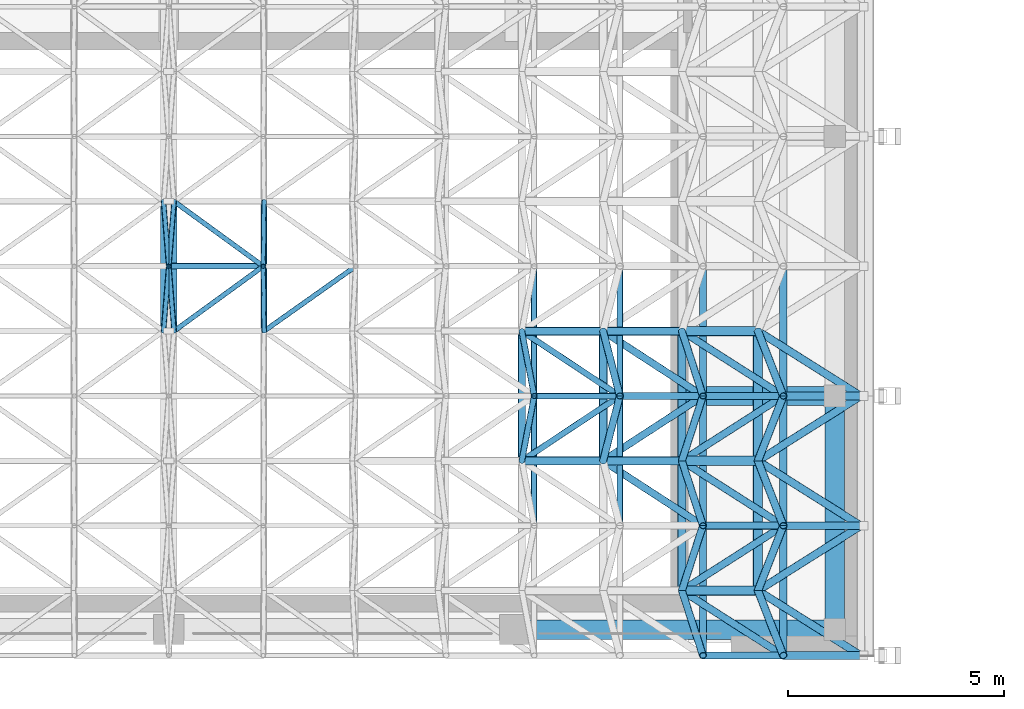
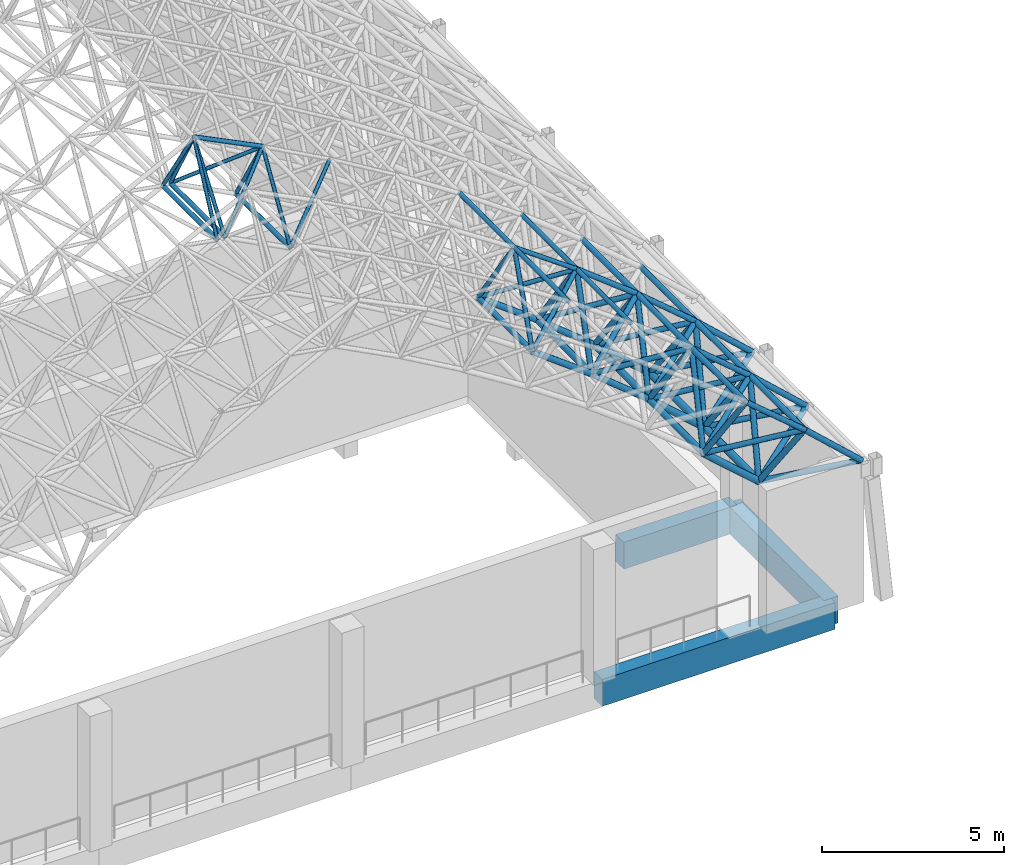
# One storey, part 13 of 141: 73 members, 3 beams.
"""IFC4 building model written with IfcOpenShell, lengths in metres."""

from ifc_helpers import new_model, si_unit, direction, frame, origin, origin_2d, place, context, subcontext, project, spatial, rectangle, hollow_circle, extrude, material, material_profile, profile_set, type_object, element, save


model = new_model("IFC4")

# Units and contexts
model_context = context("Model", 3, precision=1e-05, world=origin(), true_north=direction((0.0, 1.0)))
body_context = subcontext(model_context, "Body", "Model", "MODEL_VIEW")
ifc_project = project(units=[si_unit("LENGTHUNIT", "METRE"), si_unit("AREAUNIT", "SQUARE_METRE"), si_unit("VOLUMEUNIT", "CUBIC_METRE"), si_unit("PLANEANGLEUNIT", "RADIAN"), si_unit("MASSUNIT", "GRAM", prefix="KILO")], contexts=[model_context])

# Site, building, storey
site_placement = place(None, origin())
site = spatial("IfcSite", under=ifc_project, at=site_placement, CompositionType="ELEMENT")
building_placement = place(site_placement, origin())
building = spatial("IfcBuilding", under=site, at=building_placement, Name="Lantern Court Media Centre", CompositionType="ELEMENT")
storey_placement = place(building_placement, frame((0.0, 0.0, 9.60009765625)))
storey = spatial("IfcBuildingStorey", under=building, at=storey_placement, Name="L02", CompositionType="ELEMENT", Elevation=9.60009765625)

# Members
ifc_material_1 = material(Name="Steel S355J2 (EN 10025-2)", Category="steel")
ifc_material_profile_1 = material_profile(ifc_material_1, hollow_circle(Radius=0.06982421875, WallThickness=0.0048828125, at=origin_2d()), Name="Cinema Hall bottom CHS 139.7x5")
ifc_profile_set_1 = profile_set([ifc_material_profile_1], Name="Steel S355J2 (EN 10025-2)")
member_type_1 = type_object("IfcMemberType", Name="Cinema Hall bottom CHS 139.7x5", PredefinedType="CHORD", material=ifc_profile_set_1)
for number, where, z_axis, x_axis, name in (
    (1, (15.87939453125, 5.5, 13.298583984375), (0.0, 1.0, 0.0), (-1.0, 0.0, 0.0), "Cinema Hall bottom chord 08-03"),
    (2, (16.12060546875, 5.5, 13.298583984375), (0.0, 1.0, 0.0), (-1.0, 0.0, 0.0), "Cinema Hall bottom chord 09-03"),
):
    element("IfcMember", number, at=place(storey_placement, frame(where, z_axis=z_axis, x_axis=x_axis)), inside=storey, type_object=member_type_1, Name=name, PredefinedType="CHORD", context=body_context, shape_type="SweptSolid", body=[
        extrude(hollow_circle(Radius=0.06982421875, WallThickness=0.0048828125, at=origin_2d()), origin(), (0.0, 0.0, 1.0), 3.0),
    ])
ifc_material_profile_2 = material_profile(ifc_material_1, hollow_circle(Radius=0.06982421875, WallThickness=0.00634765625, at=origin_2d()), Name="Cinema Hall bottom CHS 139.7x6.3")
ifc_profile_set_2 = profile_set([ifc_material_profile_2], Name="Steel S355J2 (EN 10025-2)")
member_type_2 = type_object("IfcMemberType", Name="Cinema Hall bottom CHS 139.7x6.3", PredefinedType="CHORD", material=ifc_profile_set_2)
member_1_placement = place(storey_placement, frame((18.203125, 5.5, 12.21337890625), z_axis=(0.0, 1.0, 0.0), x_axis=(-1.0, 0.0, 0.0)))
element("IfcMember", 3, at=member_1_placement, inside=storey, type_object=member_type_2, Name="Cinema Hall bottom chord 10-03", PredefinedType="CHORD", context=body_context, shape_type="SweptSolid", body=[
    extrude(hollow_circle(Radius=0.06982421875, WallThickness=0.00634765625, at=origin_2d()), origin(), (0.0, 0.0, 1.0), 3.0),
])
ifc_material_profile_3 = material_profile(ifc_material_1, hollow_circle(Radius=0.084228515625, WallThickness=0.008056640625, at=origin_2d()), Name="Cinema Hall bottom CHS 168.3x8")
ifc_profile_set_3 = profile_set([ifc_material_profile_3], Name="Steel S355J2 (EN 10025-2)")
member_type_3 = type_object("IfcMemberType", Name="Cinema Hall bottom CHS 168.3x8", PredefinedType="CHORD", material=ifc_profile_set_3)
member_2_placement = place(storey_placement, frame((24.162353515625, 2.5, 8.463623046875), z_axis=(0.0, 1.0, 0.0), x_axis=(-1.0, 0.0, 0.0)))
element("IfcMember", 4, at=member_2_placement, inside=storey, type_object=member_type_3, Name="Cinema Hall bottom chord 13-02", PredefinedType="CHORD", context=body_context, shape_type="SweptSolid", body=[
    extrude(hollow_circle(Radius=0.084228515625, WallThickness=0.008056640625, at=origin_2d()), origin(), (0.0, 0.0, 1.0), 3.0),
])
ifc_material_profile_4 = material_profile(ifc_material_1, hollow_circle(Radius=0.096923828125, WallThickness=0.010009765625, at=origin_2d()), Name="Cinema Hall bottom CHS 193.7x10")
ifc_profile_set_4 = profile_set([ifc_material_profile_4], Name="Steel S355J2 (EN 10025-2)")
member_type_4 = type_object("IfcMemberType", Name="Cinema Hall bottom CHS 193.7x10", PredefinedType="CHORD", material=ifc_profile_set_4)
for number, where, z_axis, x_axis, name in (
    (5, (27.8623046875, -0.5, 5.57275390625), (0.0, 1.0, 0.0), (-1.0, 0.0, 0.0), "Cinema Hall bottom chord 15-01"),
    (6, (27.8623046875, 2.5, 5.57275390625), (0.0, 1.0, 0.0), (-1.0, 0.0, 0.0), "Cinema Hall bottom chord 15-02"),
):
    element("IfcMember", number, at=place(storey_placement, frame(where, z_axis=z_axis, x_axis=x_axis)), inside=storey, type_object=member_type_4, Name=name, PredefinedType="CHORD", context=body_context, shape_type="SweptSolid", body=[
        extrude(hollow_circle(Radius=0.096923828125, WallThickness=0.010009765625, at=origin_2d()), origin(), (0.0, 0.0, 1.0), 3.0),
    ])
for number, where, z_axis, x_axis, name in (
    (7, (26.041748046875, 2.5, 7.0556640625), (0.775340578175, 0.0, -0.63154333805), (0.0, 1.0, 0.0), "Cinema Hall bottom chord 14-02 across"),
    (8, (26.041748046875, 5.5, 7.0556640625), (0.775340578175, 0.0, -0.63154333805), (0.0, 1.0, 0.0), "Cinema Hall bottom chord 14-03 across"),
):
    element("IfcMember", number, at=place(storey_placement, frame(where, z_axis=z_axis, x_axis=x_axis)), inside=storey, type_object=member_type_4, Name=name, PredefinedType="CHORD", context=body_context, shape_type="SweptSolid", body=[
        extrude(hollow_circle(Radius=0.096923828125, WallThickness=0.010009765625, at=origin_2d()), origin(), (0.0, 0.0, 1.0), 2.34814453125),
    ])
ifc_material_profile_5 = material_profile(ifc_material_1, hollow_circle(Radius=0.096923828125, WallThickness=0.008056640625, at=origin_2d()), Name="Cinema Hall bottom CHS 193.7x8")
ifc_profile_set_5 = profile_set([ifc_material_profile_5], Name="Steel S355J2 (EN 10025-2)")
member_type_5 = type_object("IfcMemberType", Name="Cinema Hall bottom CHS 193.7x8", PredefinedType="CHORD", material=ifc_profile_set_5)
member_3_placement = place(storey_placement, frame((26.041748046875, 2.5, 7.0556640625), z_axis=(0.0, 1.0, 0.0), x_axis=(-1.0, 0.0, 0.0)))
element("IfcMember", 9, at=member_3_placement, inside=storey, type_object=member_type_5, Name="Cinema Hall bottom chord 14-02", PredefinedType="CHORD", context=body_context, shape_type="SweptSolid", body=[
    extrude(hollow_circle(Radius=0.096923828125, WallThickness=0.008056640625, at=origin_2d()), origin(), (0.0, 0.0, 1.0), 3.0),
])
for number, where, z_axis, x_axis, name in (
    (10, (24.162353515625, 2.5, 8.463623046875), (0.800324254575, 0.0, -0.599567417009), (0.0, 1.0, 0.0), "Cinema Hall bottom chord 13-02 across"),
    (11, (24.162353515625, 5.5, 8.463623046875), (0.800324254575, 0.0, -0.599567417009), (0.0, 1.0, 0.0), "Cinema Hall bottom chord 13-03 across"),
):
    element("IfcMember", number, at=place(storey_placement, frame(where, z_axis=z_axis, x_axis=x_axis)), inside=storey, type_object=member_type_5, Name=name, PredefinedType="CHORD", context=body_context, shape_type="SweptSolid", body=[
        extrude(hollow_circle(Radius=0.096923828125, WallThickness=0.008056640625, at=origin_2d()), origin(), (0.0, 0.0, 1.0), 2.348388671875),
    ])
ifc_material_profile_6 = material_profile(ifc_material_1, hollow_circle(Radius=0.109619140625, WallThickness=0.010009765625, at=origin_2d()), Name="Cinema Hall bottom CHS 219.1x10")
ifc_profile_set_6 = profile_set([ifc_material_profile_6], Name="Steel S355J2 (EN 10025-2)")
member_type_6 = type_object("IfcMemberType", Name="Cinema Hall bottom CHS 219.1x10", PredefinedType="CHORD", material=ifc_profile_set_6)
for number, where, z_axis, x_axis, name in (
    (12, (29.621337890625, -0.5, 4.016845703125), (0.0, 1.0, 0.0), (-1.0, 0.0, 0.0), "Cinema Hall bottom chord 16-01"),
    (13, (29.621337890625, 2.5, 4.016845703125), (0.0, 1.0, 0.0), (-1.0, 0.0, 0.0), "Cinema Hall bottom chord 16-02"),
):
    element("IfcMember", number, at=place(storey_placement, frame(where, z_axis=z_axis, x_axis=x_axis)), inside=storey, type_object=member_type_6, Name=name, PredefinedType="CHORD", context=body_context, shape_type="SweptSolid", body=[
        extrude(hollow_circle(Radius=0.109619140625, WallThickness=0.010009765625, at=origin_2d()), origin(), (0.0, 0.0, 1.0), 3.0),
    ])
for number, where, z_axis, x_axis, name in (
    (14, (27.8623046875, -0.5, 5.57275390625), (0.749030294531, 0.0, -0.662535748375), (0.0, 1.0, 0.0), "Cinema Hall bottom chord 15-01 across"),
    (15, (27.8623046875, 2.5, 5.57275390625), (0.749030294531, 0.0, -0.662535748375), (0.0, 1.0, 0.0), "Cinema Hall bottom chord 15-02 across"),
    (16, (27.8623046875, 5.5, 5.57275390625), (0.749030294531, 0.0, -0.662535748375), (0.0, 1.0, 0.0), "Cinema Hall bottom chord 15-03 across"),
):
    element("IfcMember", number, at=place(storey_placement, frame(where, z_axis=z_axis, x_axis=x_axis)), inside=storey, type_object=member_type_6, Name=name, PredefinedType="CHORD", context=body_context, shape_type="SweptSolid", body=[
        extrude(hollow_circle(Radius=0.109619140625, WallThickness=0.010009765625, at=origin_2d()), origin(), (0.0, 0.0, 1.0), 2.348388671875),
    ])
ifc_material_profile_7 = material_profile(ifc_material_1, hollow_circle(Radius=0.05712890625, WallThickness=0.0048828125, at=origin_2d()), Name="Cinema Hall diagonal CHS 114.3x5")
ifc_profile_set_7 = profile_set([ifc_material_profile_7], Name="Steel S355J2 (EN 10025-2)")
member_type_7 = type_object("IfcMemberType", Name="Cinema Hall diagonal CHS 114.3x5", PredefinedType="BRACE", material=ifc_profile_set_7)
member_4_placement = place(storey_placement, frame((15.87939453125, 5.5, 13.298583984375), z_axis=(0.041317175069, 0.513871910171, 0.85687137365), x_axis=(-0.996783215266, 0.080145004613, 0.0)))
element("IfcMember", 17, at=member_4_placement, inside=storey, type_object=member_type_7, Name="Cinema Hall diagonal 08-03-3", PredefinedType="BRACE", context=body_context, shape_type="SweptSolid", body=[
    extrude(hollow_circle(Radius=0.05712890625, WallThickness=0.0048828125, at=origin_2d()), origin(), (0.0, 0.0, 1.0), 2.9189453125),
])
member_5_placement = place(storey_placement, frame((16.12060546875, 5.5, 13.298583984375), z_axis=(0.706879781117, 0.513851085564, 0.486084392789), x_axis=(-0.587989591395, 0.808868493892, 0.0)))
element("IfcMember", 18, at=member_5_placement, inside=storey, type_object=member_type_7, Name="Cinema Hall diagonal 09-03-3", PredefinedType="BRACE", context=body_context, shape_type="SweptSolid", body=[
    extrude(hollow_circle(Radius=0.05712890625, WallThickness=0.0048828125, at=origin_2d()), origin(), (0.0, 0.0, 1.0), 2.919189453125),
])
for number, where, z_axis, x_axis, name in (
    (19, (16.12060546875, 5.5, 13.298583984375), (-0.041317175069, 0.513871910171, 0.85687137365), (-0.996783215266, -0.080145004613, 0.0), "Cinema Hall diagonal 09-03-4"),
    (20, (15.87939453125, 8.5, 13.298583984375), (0.041317175069, -0.513871910171, 0.85687137365), (0.996783215266, 0.080145004613, 0.0), "Cinema Hall diagonal 08-04-2"),
    (21, (16.12060546875, 8.5, 13.298583984375), (-0.041317175069, -0.513871910171, 0.85687137365), (0.996783215266, -0.080145004613, 0.0), "Cinema Hall diagonal 09-04-1"),
):
    element("IfcMember", number, at=place(storey_placement, frame(where, z_axis=z_axis, x_axis=x_axis)), inside=storey, type_object=member_type_7, Name=name, PredefinedType="BRACE", context=body_context, shape_type="SweptSolid", body=[
        extrude(hollow_circle(Radius=0.05712890625, WallThickness=0.0048828125, at=origin_2d()), origin(), (0.0, 0.0, 1.0), 2.9189453125),
    ])
member_6_placement = place(storey_placement, frame((16.12060546875, 8.5, 13.298583984375), z_axis=(0.706879781117, -0.513851085564, 0.486084392789), x_axis=(0.587989591395, 0.808868493892, 0.0)))
element("IfcMember", 22, at=member_6_placement, inside=storey, type_object=member_type_7, Name="Cinema Hall diagonal 09-04-2", PredefinedType="BRACE", context=body_context, shape_type="SweptSolid", body=[
    extrude(hollow_circle(Radius=0.05712890625, WallThickness=0.0048828125, at=origin_2d()), origin(), (0.0, 0.0, 1.0), 2.919189453125),
])
ifc_material_profile_8 = material_profile(ifc_material_1, hollow_circle(Radius=0.05712890625, WallThickness=0.00634765625, at=origin_2d()), Name="Cinema Hall diagonal CHS 114.3x6.3")
ifc_profile_set_8 = profile_set([ifc_material_profile_8], Name="Steel S355J2 (EN 10025-2)")
member_type_8 = type_object("IfcMemberType", Name="Cinema Hall diagonal CHS 114.3x6.3", PredefinedType="BRACE", material=ifc_profile_set_8)
for number, where, z_axis, x_axis, name in (
    (23, (18.203125, 5.5, 12.21337890625), (0.726033609038, 0.513852147671, 0.456980490702), (-0.577701627838, 0.816248019411, 0.0), "Cinema Hall diagonal 10-03-3"),
    (24, (18.203125, 5.5, 12.21337890625), (-0.006523580306, 0.513857402591, 0.857850810283), (-0.99991942426, -0.012694289566, 0.0), "Cinema Hall diagonal 10-03-4"),
    (25, (18.203125, 8.5, 12.21337890625), (-0.006523580306, -0.513857402591, 0.857850810283), (0.99991942426, -0.012694289566, 0.0), "Cinema Hall diagonal 10-04-1"),
):
    element("IfcMember", number, at=place(storey_placement, frame(where, z_axis=z_axis, x_axis=x_axis)), inside=storey, type_object=member_type_8, Name=name, PredefinedType="BRACE", context=body_context, shape_type="SweptSolid", body=[
        extrude(hollow_circle(Radius=0.05712890625, WallThickness=0.00634765625, at=origin_2d()), origin(), (0.0, 0.0, 1.0), 2.919189453125),
    ])
ifc_material_profile_9 = material_profile(ifc_material_1, hollow_circle(Radius=0.06982421875, WallThickness=0.008056640625, at=origin_2d()), Name="Cinema Hall diagonal CHS 139.7x8")
ifc_profile_set_9 = profile_set([ifc_material_profile_9], Name="Steel S355J2 (EN 10025-2)")
member_type_9 = type_object("IfcMemberType", Name="Cinema Hall diagonal CHS 139.7x8", PredefinedType="BRACE", material=ifc_profile_set_9)
member_7_placement = place(storey_placement, frame((24.162353515625, 2.5, 8.463623046875), z_axis=(0.776210877705, 0.513849761084, 0.365315064521), x_axis=(-0.552001963744, 0.833842810141, 0.0)))
element("IfcMember", 26, at=member_7_placement, inside=storey, type_object=member_type_9, Name="Cinema Hall diagonal 13-02-3", PredefinedType="BRACE", context=body_context, shape_type="SweptSolid", body=[
    extrude(hollow_circle(Radius=0.06982421875, WallThickness=0.008056640625, at=origin_2d()), origin(), (0.0, 0.0, 1.0), 2.919189453125),
])
for number, where, z_axis, x_axis, name in (
    (27, (24.162353515625, 2.5, 8.463623046875), (0.09785614588, 0.51387022247, 0.852268484207), (-0.982346962135, 0.187068025016, 0.0), "Cinema Hall diagonal 13-02-4"),
    (28, (24.162353515625, 5.5, 8.463623046875), (0.09785614588, -0.51387022247, 0.852268484207), (0.982346962135, 0.187068025016, 0.0), "Cinema Hall diagonal 13-03-1"),
):
    element("IfcMember", number, at=place(storey_placement, frame(where, z_axis=z_axis, x_axis=x_axis)), inside=storey, type_object=member_type_9, Name=name, PredefinedType="BRACE", context=body_context, shape_type="SweptSolid", body=[
        extrude(hollow_circle(Radius=0.06982421875, WallThickness=0.008056640625, at=origin_2d()), origin(), (0.0, 0.0, 1.0), 2.9189453125),
    ])
member_8_placement = place(storey_placement, frame((24.162353515625, 5.5, 8.463623046875), z_axis=(0.776210877705, -0.513849761084, 0.365315064521), x_axis=(0.552001963744, 0.833842810141, 0.0)))
element("IfcMember", 29, at=member_8_placement, inside=storey, type_object=member_type_9, Name="Cinema Hall diagonal 13-03-2", PredefinedType="BRACE", context=body_context, shape_type="SweptSolid", body=[
    extrude(hollow_circle(Radius=0.06982421875, WallThickness=0.008056640625, at=origin_2d()), origin(), (0.0, 0.0, 1.0), 2.919189453125),
])
ifc_material_profile_10 = material_profile(ifc_material_1, hollow_circle(Radius=0.084228515625, WallThickness=0.010009765625, at=origin_2d()), Name="Cinema Hall diagonal CHS 168.3x10")
ifc_profile_set_10 = profile_set([ifc_material_profile_10], Name="Steel S355J2 (EN 10025-2)")
member_type_10 = type_object("IfcMemberType", Name="Cinema Hall diagonal CHS 168.3x10", PredefinedType="BRACE", material=ifc_profile_set_10)
member_9_placement = place(storey_placement, frame((27.8623046875, -0.5, 5.57275390625), z_axis=(0.166695380465, -0.513886812634, 0.841506383774), x_axis=(0.951206854862, 0.308553916299, 0.0)))
element("IfcMember", 30, at=member_9_placement, inside=storey, type_object=member_type_10, Name="Cinema Hall diagonal 15-01-1", PredefinedType="BRACE", context=body_context, shape_type="SweptSolid", body=[
    extrude(hollow_circle(Radius=0.084228515625, WallThickness=0.010009765625, at=origin_2d()), origin(), (0.0, 0.0, 1.0), 2.9189453125),
])
for number, where, z_axis, x_axis, name in (
    (31, (27.8623046875, -0.5, 5.57275390625), (0.803309435106, -0.513850408047, 0.301084223465), (0.538854579896, 0.842398802068, 0.0), "Cinema Hall diagonal 15-01-2"),
    (32, (27.8623046875, -0.5, 5.57275390625), (0.803309435106, 0.513850408047, 0.301084223465), (-0.538854579896, 0.842398802068, 0.0), "Cinema Hall diagonal 15-01-3"),
):
    element("IfcMember", number, at=place(storey_placement, frame(where, z_axis=z_axis, x_axis=x_axis)), inside=storey, type_object=member_type_10, Name=name, PredefinedType="BRACE", context=body_context, shape_type="SweptSolid", body=[
        extrude(hollow_circle(Radius=0.084228515625, WallThickness=0.010009765625, at=origin_2d()), origin(), (0.0, 0.0, 1.0), 2.919189453125),
    ])
for number, where, z_axis, x_axis, name in (
    (33, (27.8623046875, -0.5, 5.57275390625), (0.166695380465, 0.513886812634, 0.841506383774), (-0.951206854862, 0.308553916299, 0.0), "Cinema Hall diagonal 15-01-4"),
    (34, (27.8623046875, 2.5, 5.57275390625), (0.166695380465, -0.513886812634, 0.841506383774), (0.951206854862, 0.308553916299, 0.0), "Cinema Hall diagonal 15-02-1"),
):
    element("IfcMember", number, at=place(storey_placement, frame(where, z_axis=z_axis, x_axis=x_axis)), inside=storey, type_object=member_type_10, Name=name, PredefinedType="BRACE", context=body_context, shape_type="SweptSolid", body=[
        extrude(hollow_circle(Radius=0.084228515625, WallThickness=0.010009765625, at=origin_2d()), origin(), (0.0, 0.0, 1.0), 2.9189453125),
    ])
for number, where, z_axis, x_axis, name in (
    (35, (27.8623046875, 2.5, 5.57275390625), (0.803309435106, -0.513850408047, 0.301084223465), (0.538854579896, 0.842398802068, 0.0), "Cinema Hall diagonal 15-02-2"),
    (36, (27.8623046875, 2.5, 5.57275390625), (0.803309435106, 0.513850408047, 0.301084223465), (-0.538854579896, 0.842398802068, 0.0), "Cinema Hall diagonal 15-02-3"),
):
    element("IfcMember", number, at=place(storey_placement, frame(where, z_axis=z_axis, x_axis=x_axis)), inside=storey, type_object=member_type_10, Name=name, PredefinedType="BRACE", context=body_context, shape_type="SweptSolid", body=[
        extrude(hollow_circle(Radius=0.084228515625, WallThickness=0.010009765625, at=origin_2d()), origin(), (0.0, 0.0, 1.0), 2.919189453125),
    ])
for number, where, z_axis, x_axis, name in (
    (37, (27.8623046875, 2.5, 5.57275390625), (0.166695380465, 0.513886812634, 0.841506383774), (-0.951206854862, 0.308553916299, 0.0), "Cinema Hall diagonal 15-02-4"),
    (38, (27.8623046875, 5.5, 5.57275390625), (0.166695380465, -0.513886812634, 0.841506383774), (0.951206854862, 0.308553916299, 0.0), "Cinema Hall diagonal 15-03-1"),
):
    element("IfcMember", number, at=place(storey_placement, frame(where, z_axis=z_axis, x_axis=x_axis)), inside=storey, type_object=member_type_10, Name=name, PredefinedType="BRACE", context=body_context, shape_type="SweptSolid", body=[
        extrude(hollow_circle(Radius=0.084228515625, WallThickness=0.010009765625, at=origin_2d()), origin(), (0.0, 0.0, 1.0), 2.9189453125),
    ])
member_10_placement = place(storey_placement, frame((27.8623046875, 5.5, 5.57275390625), z_axis=(0.803309435106, -0.513850408047, 0.301084223465), x_axis=(0.538854579896, 0.842398802068, 0.0)))
element("IfcMember", 39, at=member_10_placement, inside=storey, type_object=member_type_10, Name="Cinema Hall diagonal 15-03-2", PredefinedType="BRACE", context=body_context, shape_type="SweptSolid", body=[
    extrude(hollow_circle(Radius=0.084228515625, WallThickness=0.010009765625, at=origin_2d()), origin(), (0.0, 0.0, 1.0), 2.919189453125),
])
ifc_material_profile_11 = material_profile(ifc_material_1, hollow_circle(Radius=0.084228515625, WallThickness=0.008056640625, at=origin_2d()), Name="Cinema Hall diagonal CHS 168.3x8")
ifc_profile_set_11 = profile_set([ifc_material_profile_11], Name="Steel S355J2 (EN 10025-2)")
member_type_11 = type_object("IfcMemberType", Name="Cinema Hall diagonal CHS 168.3x8", PredefinedType="BRACE", material=ifc_profile_set_11)
for number, where, z_axis, x_axis, name in (
    (40, (26.041748046875, 2.5, 7.0556640625), (0.790394065187, -0.513881601747, 0.333471019884), (0.545081898441, 0.838382802777, 0.0), "Cinema Hall diagonal 14-02-2"),
    (41, (26.041748046875, 2.5, 7.0556640625), (0.790394065187, 0.513881601747, 0.333471019884), (-0.545081898441, 0.838382802777, 0.0), "Cinema Hall diagonal 14-02-3"),
):
    element("IfcMember", number, at=place(storey_placement, frame(where, z_axis=z_axis, x_axis=x_axis)), inside=storey, type_object=member_type_11, Name=name, PredefinedType="BRACE", context=body_context, shape_type="SweptSolid", body=[
        extrude(hollow_circle(Radius=0.084228515625, WallThickness=0.008056640625, at=origin_2d()), origin(), (0.0, 0.0, 1.0), 2.9189453125),
    ])
for number, where, z_axis, x_axis, name in (
    (42, (26.041748046875, 2.5, 7.0556640625), (0.132389678542, 0.513835871739, 0.847611744804), (-0.968374432366, 0.249501420318, 0.0), "Cinema Hall diagonal 14-02-4"),
    (43, (26.041748046875, 5.5, 7.0556640625), (0.132389678542, -0.513835871739, 0.847611744804), (0.968374432366, 0.249501420318, 0.0), "Cinema Hall diagonal 14-03-1"),
):
    element("IfcMember", number, at=place(storey_placement, frame(where, z_axis=z_axis, x_axis=x_axis)), inside=storey, type_object=member_type_11, Name=name, PredefinedType="BRACE", context=body_context, shape_type="SweptSolid", body=[
        extrude(hollow_circle(Radius=0.084228515625, WallThickness=0.008056640625, at=origin_2d()), origin(), (0.0, 0.0, 1.0), 2.919189453125),
    ])
member_11_placement = place(storey_placement, frame((26.041748046875, 5.5, 7.0556640625), z_axis=(0.790394065187, -0.513881601747, 0.333471019884), x_axis=(0.545081898441, 0.838382802777, 0.0)))
element("IfcMember", 44, at=member_11_placement, inside=storey, type_object=member_type_11, Name="Cinema Hall diagonal 14-03-2", PredefinedType="BRACE", context=body_context, shape_type="SweptSolid", body=[
    extrude(hollow_circle(Radius=0.084228515625, WallThickness=0.008056640625, at=origin_2d()), origin(), (0.0, 0.0, 1.0), 2.9189453125),
])
ifc_material_profile_12 = material_profile(ifc_material_1, hollow_circle(Radius=0.0888671875, WallThickness=0.010009765625, at=origin_2d()), Name="Cinema Hall diagonal CHS 177.8x10")
ifc_profile_set_12 = profile_set([ifc_material_profile_12], Name="Steel S355J2 (EN 10025-2)")
member_type_12 = type_object("IfcMemberType", Name="Cinema Hall diagonal CHS 177.8x10", PredefinedType="BRACE", material=ifc_profile_set_12)
for number, where, z_axis, x_axis, name in (
    (45, (29.621337890625, -0.5, 4.016845703125), (0.200719513512, -0.513841954591, 0.834073211773), (0.93145734948, 0.36385052714, 0.0), "Cinema Hall diagonal 16-01-1"),
    (46, (29.621337890625, -0.5, 4.016845703125), (0.814865608485, -0.513859622142, 0.268220671909), (0.533404912089, 0.845860035561, 0.0), "Cinema Hall diagonal 16-01-2"),
    (47, (29.621337890625, -0.5, 4.016845703125), (0.814865608485, 0.513859622142, 0.268220671909), (-0.533404912089, 0.845860035561, 0.0), "Cinema Hall diagonal 16-01-3"),
    (48, (29.621337890625, -0.5, 4.016845703125), (0.200719513512, 0.513841954591, 0.834073211773), (-0.93145734948, 0.36385052714, 0.0), "Cinema Hall diagonal 16-01-4"),
    (49, (29.621337890625, 2.5, 4.016845703125), (0.200719513512, -0.513841954591, 0.834073211773), (0.93145734948, 0.36385052714, 0.0), "Cinema Hall diagonal 16-02-1"),
    (50, (29.621337890625, 2.5, 4.016845703125), (0.814865608485, -0.513859622142, 0.268220671909), (0.533404912089, 0.845860035561, 0.0), "Cinema Hall diagonal 16-02-2"),
    (51, (29.621337890625, 2.5, 4.016845703125), (0.814865608485, 0.513859622142, 0.268220671909), (-0.533404912089, 0.845860035561, 0.0), "Cinema Hall diagonal 16-02-3"),
    (52, (29.621337890625, 2.5, 4.016845703125), (0.200719513512, 0.513841954591, 0.834073211773), (-0.93145734948, 0.36385052714, 0.0), "Cinema Hall diagonal 16-02-4"),
    (53, (29.621337890625, 5.5, 4.016845703125), (0.200719513512, -0.513841954591, 0.834073211773), (0.93145734948, 0.36385052714, 0.0), "Cinema Hall diagonal 16-03-1"),
    (54, (29.621337890625, 5.5, 4.016845703125), (0.814865608485, -0.513859622142, 0.268220671909), (0.533404912089, 0.845860035561, 0.0), "Cinema Hall diagonal 16-03-2"),
):
    element("IfcMember", number, at=place(storey_placement, frame(where, z_axis=z_axis, x_axis=x_axis)), inside=storey, type_object=member_type_12, Name=name, PredefinedType="BRACE", context=body_context, shape_type="SweptSolid", body=[
        extrude(hollow_circle(Radius=0.0888671875, WallThickness=0.010009765625, at=origin_2d()), origin(), (0.0, 0.0, 1.0), 2.919189453125),
    ])
ifc_material_profile_13 = material_profile(ifc_material_1, hollow_circle(Radius=0.06982421875, WallThickness=0.0048828125, at=origin_2d()), Name="Cinema Hall top CHS 139.7x5")
ifc_profile_set_13 = profile_set([ifc_material_profile_13], Name="Steel S355J2 (EN 10025-2)")
member_type_13 = type_object("IfcMemberType", Name="Cinema Hall top CHS 139.7x5", PredefinedType="CHORD", material=ifc_profile_set_13)
member_12_placement = place(storey_placement, frame((16.0, 7.0, 15.7998046875), z_axis=(0.896023995237, 0.0, -0.444005630549), x_axis=(0.0, 1.0, 0.0)))
element("IfcMember", 55, at=member_12_placement, inside=storey, type_object=member_type_13, Name="Cinema Hall top chord 09-04 across", PredefinedType="CHORD", context=body_context, shape_type="SweptSolid", body=[
    extrude(hollow_circle(Radius=0.06982421875, WallThickness=0.0048828125, at=origin_2d()), origin(), (0.0, 0.0, 1.0), 2.4375),
])
ifc_material_profile_14 = material_profile(ifc_material_1, hollow_circle(Radius=0.06982421875, WallThickness=0.00634765625, at=origin_2d()), Name="Cinema Hall top CHS 139.7x6.3")
ifc_profile_set_14 = profile_set([ifc_material_profile_14], Name="Steel S355J2 (EN 10025-2)")
member_type_14 = type_object("IfcMemberType", Name="Cinema Hall top CHS 139.7x6.3", PredefinedType="CHORD", material=ifc_profile_set_14)
for number, where, z_axis, x_axis, name in (
    (56, (24.447998046875, 1.0, 10.951416015625), (0.0, 1.0, 0.0), (-1.0, 0.0, 0.0), "Cinema Hall top chord 13-02"),
    (57, (24.447998046875, 4.0, 10.951416015625), (0.0, 1.0, 0.0), (-1.0, 0.0, 0.0), "Cinema Hall top chord 13-03"),
):
    element("IfcMember", number, at=place(storey_placement, frame(where, z_axis=z_axis, x_axis=x_axis)), inside=storey, type_object=member_type_14, Name=name, PredefinedType="CHORD", context=body_context, shape_type="SweptSolid", body=[
        extrude(hollow_circle(Radius=0.06982421875, WallThickness=0.00634765625, at=origin_2d()), origin(), (0.0, 0.0, 1.0), 3.0),
    ])
ifc_material_profile_15 = material_profile(ifc_material_1, hollow_circle(Radius=0.06982421875, WallThickness=0.008056640625, at=origin_2d()), Name="Cinema Hall top CHS 139.7x8")
ifc_profile_set_15 = profile_set([ifc_material_profile_15], Name="Steel S355J2 (EN 10025-2)")
member_type_15 = type_object("IfcMemberType", Name="Cinema Hall top CHS 139.7x8", PredefinedType="CHORD", material=ifc_profile_set_15)
for number, where, z_axis, x_axis, name in (
    (58, (26.42822265625, 1.0, 9.530029296875), (0.0, 1.0, 0.0), (-1.0, 0.0, 0.0), "Cinema Hall top chord 14-02"),
    (59, (26.42822265625, 4.0, 9.530029296875), (0.0, 1.0, 0.0), (-1.0, 0.0, 0.0), "Cinema Hall top chord 14-03"),
):
    element("IfcMember", number, at=place(storey_placement, frame(where, z_axis=z_axis, x_axis=x_axis)), inside=storey, type_object=member_type_15, Name=name, PredefinedType="CHORD", context=body_context, shape_type="SweptSolid", body=[
        extrude(hollow_circle(Radius=0.06982421875, WallThickness=0.008056640625, at=origin_2d()), origin(), (0.0, 0.0, 1.0), 3.0),
    ])
member_13_placement = place(storey_placement, frame((24.447998046875, 4.0, 10.951416015625), z_axis=(0.812384562891, 0.0, -0.583122047239), x_axis=(0.0, 1.0, 0.0)))
element("IfcMember", 60, at=member_13_placement, inside=storey, type_object=member_type_15, Name="Cinema Hall top chord 13-03 across", PredefinedType="CHORD", context=body_context, shape_type="SweptSolid", body=[
    extrude(hollow_circle(Radius=0.06982421875, WallThickness=0.008056640625, at=origin_2d()), origin(), (0.0, 0.0, 1.0), 2.4375),
])
ifc_material_profile_16 = material_profile(ifc_material_1, hollow_circle(Radius=0.084228515625, WallThickness=0.010009765625, at=origin_2d()), Name="Cinema Hall top CHS 168.3x10")
ifc_profile_set_16 = profile_set([ifc_material_profile_16], Name="Steel S355J2 (EN 10025-2)")
member_type_16 = type_object("IfcMemberType", Name="Cinema Hall top CHS 168.3x10", PredefinedType="CHORD", material=ifc_profile_set_16)
for number, where, z_axis, x_axis, name in (
    (61, (30.207275390625, -2.0, 6.45166015625), (0.0, 1.0, 0.0), (-1.0, 0.0, 0.0), "Cinema Hall top chord 16-01"),
    (62, (30.207275390625, 1.0, 6.45166015625), (0.0, 1.0, 0.0), (-1.0, 0.0, 0.0), "Cinema Hall top chord 16-02"),
    (63, (30.207275390625, 4.0, 6.45166015625), (0.0, 1.0, 0.0), (-1.0, 0.0, 0.0), "Cinema Hall top chord 16-03"),
):
    element("IfcMember", number, at=place(storey_placement, frame(where, z_axis=z_axis, x_axis=x_axis)), inside=storey, type_object=member_type_16, Name=name, PredefinedType="CHORD", context=body_context, shape_type="SweptSolid", body=[
        extrude(hollow_circle(Radius=0.084228515625, WallThickness=0.010009765625, at=origin_2d()), origin(), (0.0, 0.0, 1.0), 3.0),
    ])
for number, where, z_axis, x_axis, name in (
    (64, (28.348876953125, -2.0, 8.029052734375), (0.762393833283, 0.0, -0.647113315403), (0.0, 1.0, 0.0), "Cinema Hall top chord 15-01 across"),
    (65, (28.348876953125, 1.0, 8.029052734375), (0.762393833283, 0.0, -0.647113315403), (0.0, 1.0, 0.0), "Cinema Hall top chord 15-02 across"),
    (66, (28.348876953125, 4.0, 8.029052734375), (0.762393833283, 0.0, -0.647113315403), (0.0, 1.0, 0.0), "Cinema Hall top chord 15-03 across"),
):
    element("IfcMember", number, at=place(storey_placement, frame(where, z_axis=z_axis, x_axis=x_axis)), inside=storey, type_object=member_type_16, Name=name, PredefinedType="CHORD", context=body_context, shape_type="SweptSolid", body=[
        extrude(hollow_circle(Radius=0.084228515625, WallThickness=0.010009765625, at=origin_2d()), origin(), (0.0, 0.0, 1.0), 2.4375),
    ])
ifc_material_profile_17 = material_profile(ifc_material_1, hollow_circle(Radius=0.084228515625, WallThickness=0.008056640625, at=origin_2d()), Name="Cinema Hall top CHS 168.3x8")
ifc_profile_set_17 = profile_set([ifc_material_profile_17], Name="Steel S355J2 (EN 10025-2)")
member_type_17 = type_object("IfcMemberType", Name="Cinema Hall top CHS 168.3x8", PredefinedType="CHORD", material=ifc_profile_set_17)
for number, where, z_axis, x_axis, name in (
    (67, (28.348876953125, -2.0, 8.029052734375), (0.0, 1.0, 0.0), (-1.0, 0.0, 0.0), "Cinema Hall top chord 15-01"),
    (68, (28.348876953125, 1.0, 8.029052734375), (0.0, 1.0, 0.0), (-1.0, 0.0, 0.0), "Cinema Hall top chord 15-02"),
    (69, (28.348876953125, 4.0, 8.029052734375), (0.0, 1.0, 0.0), (-1.0, 0.0, 0.0), "Cinema Hall top chord 15-03"),
):
    element("IfcMember", number, at=place(storey_placement, frame(where, z_axis=z_axis, x_axis=x_axis)), inside=storey, type_object=member_type_17, Name=name, PredefinedType="CHORD", context=body_context, shape_type="SweptSolid", body=[
        extrude(hollow_circle(Radius=0.084228515625, WallThickness=0.008056640625, at=origin_2d()), origin(), (0.0, 0.0, 1.0), 3.0),
    ])
member_14_placement = place(storey_placement, frame((26.42822265625, 4.0, 9.530029296875), z_axis=(0.787931739718, 0.0, -0.615762595117), x_axis=(0.0, 1.0, 0.0)))
element("IfcMember", 70, at=member_14_placement, inside=storey, type_object=member_type_17, Name="Cinema Hall top chord 14-03 across", PredefinedType="CHORD", context=body_context, shape_type="SweptSolid", body=[
    extrude(hollow_circle(Radius=0.084228515625, WallThickness=0.008056640625, at=origin_2d()), origin(), (0.0, 0.0, 1.0), 2.4375),
])
ifc_material_profile_18 = material_profile(ifc_material_1, hollow_circle(Radius=0.0888671875, WallThickness=0.010009765625, at=origin_2d()), Name="Cinema Hall top CHS 177.8x10")
ifc_profile_set_18 = profile_set([ifc_material_profile_18], Name="Steel S355J2 (EN 10025-2)")
member_type_18 = type_object("IfcMemberType", Name="Cinema Hall top CHS 177.8x10", PredefinedType="CHORD", material=ifc_profile_set_18)
for number, where, z_axis, x_axis, name in (
    (71, (30.207275390625, -2.0, 6.45166015625), (0.735409817039, 0.0, -0.677622609572), (0.0, 1.0, 0.0), "Cinema Hall top chord 16-01 across"),
    (72, (30.207275390625, 1.0, 6.45166015625), (0.735409817039, 0.0, -0.677622609572), (0.0, 1.0, 0.0), "Cinema Hall top chord 16-02 across"),
    (73, (30.207275390625, 4.0, 6.45166015625), (0.735409817039, 0.0, -0.677622609572), (0.0, 1.0, 0.0), "Cinema Hall top chord 16-03 across"),
):
    element("IfcMember", number, at=place(storey_placement, frame(where, z_axis=z_axis, x_axis=x_axis)), inside=storey, type_object=member_type_18, Name=name, PredefinedType="CHORD", context=body_context, shape_type="SweptSolid", body=[
        extrude(hollow_circle(Radius=0.0888671875, WallThickness=0.010009765625, at=origin_2d()), origin(), (0.0, 0.0, 1.0), 2.437744140625),
    ])

# Beams
ifc_material_2 = material(Name="Concrete C35", Category="concrete")
ifc_material_profile_19 = material_profile(ifc_material_2, rectangle(XDim=0.449951171875, YDim=0.89990234375, at=origin_2d()), Name="RC 450x900")
ifc_profile_set_19 = profile_set([ifc_material_profile_19], Name="Concrete C35")
beam_type = type_object("IfcBeamType", Name="RC BEAM 450x900", PredefinedType="BEAM", material=ifc_profile_set_19)
beam_1_placement = place(storey_placement, frame((24.0, -1.39990234375, -0.4501953125), z_axis=(1.0, 0.0, 0.0), x_axis=(0.0, 1.0, 0.0)))
element("IfcBeam", 74, at=beam_1_placement, inside=storey, type_object=beam_type, Name="HB-V1-L02-FX0-3", PredefinedType="BEAM", context=body_context, shape_type="SweptSolid", body=[
    extrude(rectangle(XDim=0.449951171875, YDim=0.89990234375, at=origin_2d()), origin(), (0.0, 0.0, 1.0), 7.39990234375),
])
beam_2_placement = place(storey_placement, frame((27.800048828125, 4.0, -0.4501953125), z_axis=(1.0, 0.0, 0.0), x_axis=(0.0, 1.0, 0.0)))
element("IfcBeam", 75, at=beam_2_placement, inside=storey, type_object=beam_type, Name="HB-V1-L02-FX1-3", PredefinedType="BEAM", context=body_context, shape_type="SweptSolid", body=[
    extrude(rectangle(XDim=0.449951171875, YDim=0.89990234375, at=origin_2d()), origin(), (0.0, 0.0, 1.0), 3.599853515625),
])
beam_3_placement = place(storey_placement, frame((31.39990234375, -1.39990234375, -0.4501953125), z_axis=(0.0, 1.0, 0.0), x_axis=(-1.0, 0.0, 0.0)))
element("IfcBeam", 76, at=beam_3_placement, inside=storey, type_object=beam_type, Name="HB-V1-L02-FY4-0", PredefinedType="BEAM", context=body_context, shape_type="SweptSolid", body=[
    extrude(rectangle(XDim=0.449951171875, YDim=0.89990234375, at=origin_2d()), origin(), (0.0, 0.0, 1.0), 5.39990234375),
])

save(model, "model.ifc")
